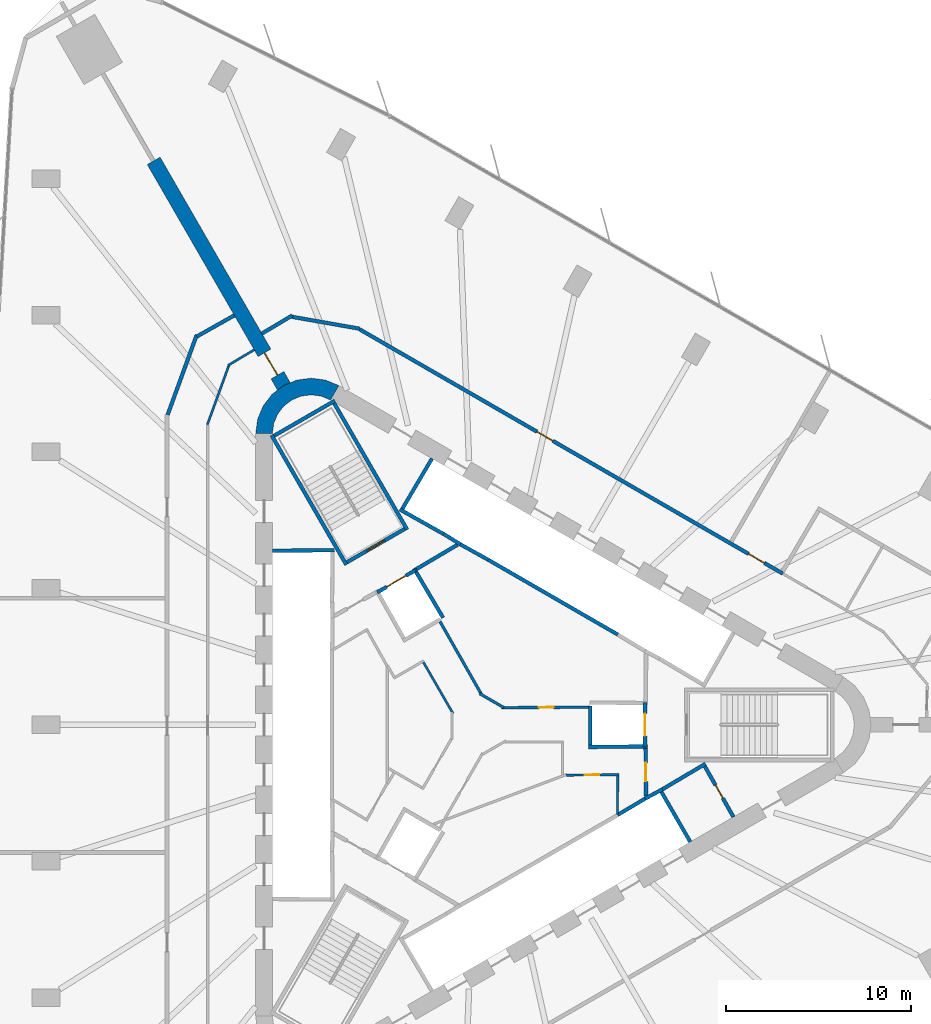
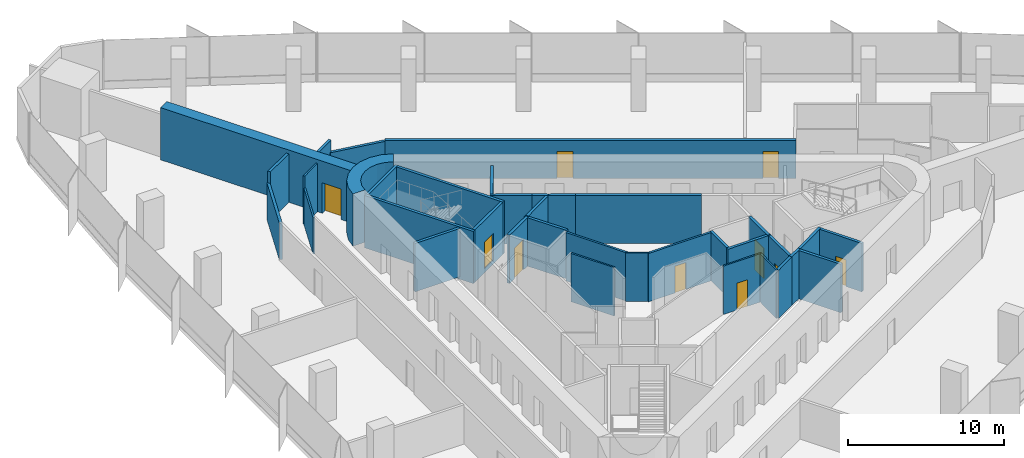
# One storey, part 11 of 14: 37 walls, 10 doors, 10 openings.
"""IFC4 building model written with IfcOpenShell, lengths in metres."""

from ifc_helpers import new_model, si_unit, direction, frame, frame_2d, origin, place, context, subcontext, project, spatial, polyline, rectangle, outline, extrude, material, layer, layer_set, type_object, element, fill, save


model = new_model("IFC4")

# Units and contexts
model_context = context("Model", 3, precision=1e-05, world=origin(), true_north=direction((0.0, 1.0)))
body_context = subcontext(model_context, "Body", "Model", "MODEL_VIEW")
ifc_project = project(units=[si_unit("LENGTHUNIT", "METRE"), si_unit("AREAUNIT", "SQUARE_METRE"), si_unit("VOLUMEUNIT", "CUBIC_METRE"), si_unit("PLANEANGLEUNIT", "RADIAN"), si_unit("MASSUNIT", "GRAM", prefix="KILO")], contexts=[model_context])

# Site, building, storey
site_placement = place(None, origin())
site = spatial("IfcSite", under=ifc_project, at=site_placement, CompositionType="ELEMENT")
building_placement = place(site_placement, origin())
building = spatial("IfcBuilding", under=site, at=building_placement, Name="Tanit Gate Tower", CompositionType="ELEMENT")
storey_placement = place(building_placement, frame((0.0, 0.0, 53.699951171875)))
storey = spatial("IfcBuildingStorey", under=building, at=storey_placement, Name="L09", CompositionType="ELEMENT", Elevation=53.699951171875)

# Wall, opening, door
ifc_material_1 = material(Name="Concrete C60/75", Category="concrete")
ifc_layer_1 = layer(ifc_material_1, 0.800048828125)
ifc_layer_set_1 = layer_set([ifc_layer_1], Name="BUTTRESS FIN 800 C60/75")
wall_type_1 = type_object("IfcWallType", Name="BUTTRESS FIN 800 C60/75", PredefinedType="SHEAR", material=ifc_layer_set_1)
wall_1_placement = place(storey_placement, frame((-10.574951171875, 18.31640625, 0.0), z_axis=(0.0, 0.0, 1.0), x_axis=(-0.499996272984, 0.866027555568, 0.0)))
wall_1 = element("IfcWall", 1, at=wall_1_placement, inside=storey, type_object=wall_type_1, Name="BUTTRESS FIN", PredefinedType="SHEAR", context=body_context, shape_type="SweptSolid", body=[
    extrude(rectangle(XDim=14.09814453125, YDim=0.800048828125, at=frame_2d((7.049072265625, 0.0))), origin(), (0.0, 0.0, 1.0), 4.10009765625),
])
opening_1_placement = place(wall_1_placement, frame((0.699951171875, 0.0, 0.0)))
opening_1 = element("IfcOpeningElement", 2, at=opening_1_placement, cuts=wall_1, Name="Opening P14-S00-F-NW-1", PredefinedType="OPENING", context=body_context, shape_type="SweptSolid", body=[
    extrude(rectangle(XDim=1.39990234375, YDim=2.39990234375, at=frame_2d((0.699951171875, 1.199951171875))), frame((0.0, 0.41015625, 0.0), z_axis=(0.0, -1.0, 0.0), x_axis=(1.0, 0.0, 0.0)), (0.0, 0.0, 1.0), 0.820068359375),
])
ifc_material_2 = material(Name="Timber door leaf", Category="wood")
door_type_1 = type_object("IfcDoorType", Name="INT-DOOR-FIN-PAIR-1400", OperationType="NOTDEFINED", PredefinedType="NOTDEFINED", material=ifc_material_2)
door_1_placement = place(opening_1_placement, origin())
door_1 = element("IfcDoor", 3, at=door_1_placement, inside=storey, type_object=door_type_1, Name="Door P14-S00-F-NW-1", OperationType="DOUBLE_DOOR_SINGLE_SWING", OverallHeight=2.39990234375, OverallWidth=1.39990234375, PredefinedType="NOTDEFINED", context=body_context, shape_type="SweptSolid", body=[
    extrude(rectangle(XDim=1.39990234375, YDim=2.39990234375, at=frame_2d((0.699951171875, 1.199951171875))), frame((0.0, 0.02490234375, 0.0), z_axis=(0.0, -1.0, 0.0), x_axis=(1.0, 0.0, 0.0)), (0.0, 0.0, 1.0), 0.050048828125),
])
fill(opening_1, door_1)

# Walls
ifc_material_3 = material(Name="Concrete C60/75", Category="concrete")
ifc_layer_2 = layer(ifc_material_3, 0.89990234375)
ifc_layer_set_2 = layer_set([ifc_layer_2], Name="CORE WALL 900 C60/75")
wall_type_2 = type_object("IfcWallType", Name="CORE WALL 900 C60/75", PredefinedType="SHEAR", material=ifc_layer_set_2)
wall_2_placement = place(storey_placement, origin())
element("IfcWall", 4, at=wall_2_placement, inside=storey, type_object=wall_type_2, Name="CORE WALL CORNER", PredefinedType="SHEAR", context=body_context, shape_type="SweptSolid", body=[
    extrude(outline(polyline([(-7.60009765625, 18.359619140625), (-8.323486328125, 18.659423828125), (-9.10009765625, 18.76171875), (-9.87646484375, 18.659423828125), (-10.60009765625, 18.359619140625), (-11.22119140625, 17.883056640625), (-11.697998046875, 17.26171875), (-11.997802734375, 16.5380859375), (-12.10009765625, 15.76171875), (-11.199951171875, 15.76171875), (-11.12841796875, 16.30517578125), (-10.918701171875, 16.811767578125), (-10.5849609375, 17.24658203125), (-10.14990234375, 17.580322265625), (-9.6435546875, 17.7900390625), (-9.10009765625, 17.86181640625), (-8.556396484375, 17.7900390625), (-8.050048828125, 17.580322265625), (-7.60009765625, 18.359619140625)])), origin(), (0.0, 0.0, 1.0), 4.10009765625),
])
ifc_material_4 = material(Name="Fire-rated gypsum board partition")
ifc_layer_3 = layer(ifc_material_4, 0.199951171875)
ifc_layer_set_3 = layer_set([ifc_layer_3], Name="INT-WALL-COMPARTMENT")
wall_type_3 = type_object("IfcWallType", Name="INT-WALL-COMPARTMENT", PredefinedType="PARTITIONING", material=ifc_layer_set_3)
wall_3_placement = place(storey_placement, frame((12.244873046875, -2.10888671875, 0.0), z_axis=(0.0, 0.0, 1.0), x_axis=(-0.860414880418, -0.509594185166, 0.0)))
element("IfcWall", 5, at=wall_3_placement, inside=storey, type_object=wall_type_3, Name="Wall Compartment W057", PredefinedType="PARTITIONING", context=body_context, shape_type="SweptSolid", body=[
    extrude(rectangle(XDim=2.7001953125, YDim=0.199951171875, at=frame_2d((1.35009765625, 0.0))), origin(), (0.0, 0.0, 1.0), 3.800048828125),
])

# Wall, opening, door
wall_4_placement = place(storey_placement, frame((13.758056640625, -4.989501953125, 0.0), z_axis=(0.0, 0.0, 1.0), x_axis=(-0.491993409184, 0.87059892334, 0.0)))
wall_4 = element("IfcWall", 6, at=wall_4_placement, inside=storey, type_object=wall_type_3, Name="Wall Compartment W058", PredefinedType="PARTITIONING", context=body_context, shape_type="SweptSolid", body=[
    extrude(rectangle(XDim=3.150146484375, YDim=0.199951171875, at=frame_2d((1.5751953125, 0.0))), origin(), (0.0, 0.0, 1.0), 3.800048828125),
])
opening_2_placement = place(wall_4_placement, frame((1.175048828125, 0.0, 0.0)))
opening_2 = element("IfcOpeningElement", 7, at=opening_2_placement, cuts=wall_4, Name="Opening R08-S00-15", PredefinedType="OPENING", context=body_context, shape_type="SweptSolid", body=[
    extrude(rectangle(XDim=0.800048828125, YDim=2.10009765625, at=frame_2d((0.39990234375, 1.050048828125))), frame((0.0, 0.10986328125, 0.0), z_axis=(0.0, -1.0, 0.0), x_axis=(1.0, 0.0, 0.0)), (0.0, 0.0, 1.0), 0.219970703125),
])
ifc_material_5 = material(Name="Timber door leaf", Category="wood")
door_type_2 = type_object("IfcDoorType", Name="INT-DOOR-RISER-800", OperationType="NOTDEFINED", PredefinedType="USERDEFINED", material=ifc_material_5)
door_2_placement = place(opening_2_placement, origin())
door_2 = element("IfcDoor", 8, at=door_2_placement, inside=storey, type_object=door_type_2, Name="Door R08-S00-15", ObjectType="FIRE DOOR", OperationType="SINGLE_SWING_RIGHT", OverallHeight=2.10009765625, OverallWidth=0.800048828125, PredefinedType="USERDEFINED", context=body_context, shape_type="SweptSolid", body=[
    extrude(rectangle(XDim=0.800048828125, YDim=2.10009765625, at=frame_2d((0.39990234375, 1.050048828125))), frame((0.0, 0.02490234375, 0.0), z_axis=(0.0, -1.0, 0.0), x_axis=(1.0, 0.0, 0.0)), (0.0, 0.0, 1.0), 0.050048828125),
])
fill(opening_2, door_2)

wall_5_placement = place(storey_placement, frame((9.02880859375, -3.850830078125, 0.0), z_axis=(0.0, 0.0, 1.0), x_axis=(-0.010783593937, 0.99994185536, 0.0)))
wall_5 = element("IfcWall", 9, at=wall_5_placement, inside=storey, type_object=wall_type_3, Name="Wall Compartment W060", PredefinedType="PARTITIONING", context=body_context, shape_type="SweptSolid", body=[
    extrude(rectangle(XDim=2.5810546875, YDim=0.199951171875, at=frame_2d((1.29052734375, 0.0))), origin(), (0.0, 0.0, 1.0), 3.800048828125),
])
opening_3_placement = place(wall_5_placement, frame((0.79052734375, 0.0, 0.0)))
opening_3 = element("IfcOpeningElement", 10, at=opening_3_placement, cuts=wall_5, Name="Opening F10-S00-02", PredefinedType="OPENING", context=body_context, shape_type="SweptSolid", body=[
    extrude(rectangle(XDim=1.0, YDim=2.10009765625, at=frame_2d((0.5, 1.050048828125))), frame((0.0, 0.10986328125, 0.0), z_axis=(0.0, -1.0, 0.0), x_axis=(1.0, 0.0, 0.0)), (0.0, 0.0, 1.0), 0.219970703125),
])
ifc_material_6 = material(Name="Fire-rated steel door leaf", Category="steel")
door_type_3 = type_object("IfcDoorType", Name="INT-DOOR-FIRE-1000", OperationType="NOTDEFINED", PredefinedType="USERDEFINED", material=ifc_material_6)
door_3_placement = place(opening_3_placement, origin())
door_3 = element("IfcDoor", 11, at=door_3_placement, inside=storey, type_object=door_type_3, Name="Door F10-S00-02", ObjectType="FIRE DOOR", OperationType="SINGLE_SWING_RIGHT", OverallHeight=2.10009765625, OverallWidth=1.0, PredefinedType="USERDEFINED", context=body_context, shape_type="SweptSolid", body=[
    extrude(rectangle(XDim=1.0, YDim=2.10009765625, at=frame_2d((0.5, 1.050048828125))), frame((0.0, 0.02490234375, 0.0), z_axis=(0.0, -1.0, 0.0), x_axis=(1.0, 0.0, 0.0)), (0.0, 0.0, 1.0), 0.050048828125),
])
fill(opening_3, door_3)

# Walls
wall_6_placement = place(storey_placement, frame((-1.1796875, 9.744384765625, 0.0), z_axis=(0.0, 0.0, 1.0), x_axis=(-0.860615607571, -0.509255118781, 0.0)))
element("IfcWall", 12, at=wall_6_placement, inside=storey, type_object=wall_type_3, Name="Wall Compartment W061", PredefinedType="PARTITIONING", context=body_context, shape_type="SweptSolid", body=[
    extrude(rectangle(XDim=2.58056640625, YDim=0.199951171875, at=frame_2d((1.290283203125, 0.0))), origin(), (0.0, 0.0, 1.0), 3.800048828125),
])
wall_7_placement = place(storey_placement, frame((-15.29345703125, 21.1015625, 0.0), z_axis=(0.0, 0.0, 1.0), x_axis=(-0.341981820704, -0.939706568195, 0.0)))
element("IfcWall", 13, at=wall_7_placement, inside=storey, type_object=wall_type_3, Name="Wall Compartment W098", PredefinedType="PARTITIONING", context=body_context, shape_type="SweptSolid", body=[
    extrude(rectangle(XDim=4.597412109375, YDim=0.199951171875, at=frame_2d((2.298828125, 0.0))), origin(), (0.0, 0.0, 1.0), 2.880126953125),
])
wall_8_placement = place(storey_placement, frame((-13.256591796875, 22.1611328125, 0.0), z_axis=(0.0, 0.0, 1.0), x_axis=(-0.871385546515, -0.49059884766, 0.0)))
element("IfcWall", 14, at=wall_8_placement, inside=storey, type_object=wall_type_3, Name="Wall Compartment W099", PredefinedType="PARTITIONING", context=body_context, shape_type="SweptSolid", body=[
    extrude(rectangle(XDim=2.33447265625, YDim=0.199951171875, at=frame_2d((1.167236328125, 0.0))), origin(), (0.0, 0.0, 1.0), 3.800048828125),
])
wall_9_placement = place(storey_placement, frame((-10.11767578125, 22.157470703125, 0.0), z_axis=(0.0, 0.0, 1.0), x_axis=(-0.859118225537, -0.511777172752, 0.0)))
element("IfcWall", 15, at=wall_9_placement, inside=storey, type_object=wall_type_3, Name="Wall Compartment W100", PredefinedType="PARTITIONING", context=body_context, shape_type="SweptSolid", body=[
    extrude(rectangle(XDim=1.916748046875, YDim=0.199951171875, at=frame_2d((0.95849609375, 0.0))), origin(), (0.0, 0.0, 1.0), 3.800048828125),
])
wall_10_placement = place(storey_placement, frame((-6.458984375, 21.435546875, 0.0), z_axis=(0.0, 0.0, 1.0), x_axis=(-0.984812903812, 0.173618963498, 0.0)))
element("IfcWall", 16, at=wall_10_placement, inside=storey, type_object=wall_type_3, Name="Wall Compartment W101", PredefinedType="PARTITIONING", context=body_context, shape_type="SweptSolid", body=[
    extrude(rectangle(XDim=3.76708984375, YDim=0.199951171875, at=frame_2d((1.883544921875, 0.0))), origin(), (0.0, 0.0, 1.0), 2.880126953125),
])

# Wall, openings, doors
wall_11_placement = place(storey_placement, frame((16.4228515625, 8.185302734375, 0.0), z_axis=(0.0, 0.0, 1.0), x_axis=(-0.866026561282, 0.49999799515, 0.0)))
wall_11 = element("IfcWall", 17, at=wall_11_placement, inside=storey, type_object=wall_type_3, Name="Wall Compartment W103", PredefinedType="PARTITIONING", context=body_context, shape_type="SweptSolid", body=[
    extrude(rectangle(XDim=26.43505859375, YDim=0.199951171875, at=frame_2d((13.217529296875, 0.0))), origin(), (0.0, 0.0, 1.0), 2.97998046875),
])
opening_4_placement = place(wall_11_placement, frame((14.3564453125, 0.0, 0.0)))
opening_4 = element("IfcOpeningElement", 18, at=opening_4_placement, cuts=wall_11, Name="Opening F10-S00-24", PredefinedType="OPENING", context=body_context, shape_type="SweptSolid", body=[
    extrude(rectangle(XDim=1.0, YDim=2.10009765625, at=frame_2d((0.5, 1.050048828125))), frame((0.0, 0.10986328125, 0.0), z_axis=(0.0, -1.0, 0.0), x_axis=(1.0, 0.0, 0.0)), (0.0, 0.0, 1.0), 0.219970703125),
])
opening_5_placement = place(wall_11_placement, frame((1.138671875, 0.0, 0.0)))
opening_5 = element("IfcOpeningElement", 19, at=opening_5_placement, cuts=wall_11, Name="Opening F10-S00-25", PredefinedType="OPENING", context=body_context, shape_type="SweptSolid", body=[
    extrude(rectangle(XDim=1.0, YDim=2.10009765625, at=frame_2d((0.5, 1.050048828125))), frame((0.0, 0.10986328125, 0.0), z_axis=(0.0, -1.0, 0.0), x_axis=(1.0, 0.0, 0.0)), (0.0, 0.0, 1.0), 0.219970703125),
])
door_4_placement = place(opening_4_placement, origin())
door_4 = element("IfcDoor", 20, at=door_4_placement, inside=storey, type_object=door_type_3, Name="Door F10-S00-24", ObjectType="FIRE DOOR", OperationType="SINGLE_SWING_RIGHT", OverallHeight=2.10009765625, OverallWidth=1.0, PredefinedType="USERDEFINED", context=body_context, shape_type="SweptSolid", body=[
    extrude(rectangle(XDim=1.0, YDim=2.10009765625, at=frame_2d((0.5, 1.050048828125))), frame((0.0, 0.02490234375, 0.0), z_axis=(0.0, -1.0, 0.0), x_axis=(1.0, 0.0, 0.0)), (0.0, 0.0, 1.0), 0.050048828125),
])
fill(opening_4, door_4)
door_5_placement = place(opening_5_placement, origin())
door_5 = element("IfcDoor", 21, at=door_5_placement, inside=storey, type_object=door_type_3, Name="Door F10-S00-25", ObjectType="FIRE DOOR", OperationType="SINGLE_SWING_RIGHT", OverallHeight=2.10009765625, OverallWidth=1.0, PredefinedType="USERDEFINED", context=body_context, shape_type="SweptSolid", body=[
    extrude(rectangle(XDim=1.0, YDim=2.10009765625, at=frame_2d((0.5, 1.050048828125))), frame((0.0, 0.02490234375, 0.0), z_axis=(0.0, -1.0, 0.0), x_axis=(1.0, 0.0, 0.0)), (0.0, 0.0, 1.0), 0.050048828125),
])
fill(opening_5, door_5)

# Wall, opening, door
ifc_material_7 = material(Name="Gypsum board partition")
ifc_layer_4 = layer(ifc_material_7, 0.1201171875)
ifc_layer_set_4 = layer_set([ifc_layer_4], Name="INT-WALL-PARTITION")
wall_type_4 = type_object("IfcWallType", Name="INT-WALL-PARTITION", PredefinedType="PARTITIONING", material=ifc_layer_set_4)
wall_12_placement = place(storey_placement, frame((7.56005859375, -2.699462890625, 0.0), z_axis=(0.0, 0.0, 1.0), x_axis=(-0.999948120507, -0.010186083405, 0.0)))
wall_12 = element("IfcWall", 22, at=wall_12_placement, inside=storey, type_object=wall_type_4, Name="Wall Partition W074", PredefinedType="PARTITIONING", context=body_context, shape_type="SweptSolid", body=[
    extrude(rectangle(XDim=2.852294921875, YDim=0.1201171875, at=frame_2d((1.42626953125, 0.0))), origin(), (0.0, 0.0, 1.0), 3.800048828125),
])
opening_6_placement = place(wall_12_placement, frame((1.05615234375, 0.0, 0.0)))
opening_6 = element("IfcOpeningElement", 23, at=opening_6_placement, cuts=wall_12, Name="Opening R08-S00-12", PredefinedType="OPENING", context=body_context, shape_type="SweptSolid", body=[
    extrude(rectangle(XDim=0.800048828125, YDim=2.10009765625, at=frame_2d((0.39990234375, 1.050048828125))), frame((0.0, 0.070068359375, 0.0), z_axis=(0.0, -1.0, 0.0), x_axis=(1.0, 0.0, 0.0)), (0.0, 0.0, 1.0), 0.14013671875),
])
door_6_placement = place(opening_6_placement, origin())
door_6 = element("IfcDoor", 24, at=door_6_placement, inside=storey, type_object=door_type_2, Name="Door R08-S00-12", ObjectType="FIRE DOOR", OperationType="SINGLE_SWING_LEFT", OverallHeight=2.10009765625, OverallWidth=0.800048828125, PredefinedType="USERDEFINED", context=body_context, shape_type="SweptSolid", body=[
    extrude(rectangle(XDim=0.800048828125, YDim=2.10009765625, at=frame_2d((0.39990234375, 1.050048828125))), frame((0.0, 0.02490234375, 0.0), z_axis=(0.0, -1.0, 0.0), x_axis=(1.0, 0.0, 0.0)), (0.0, 0.0, 1.0), 0.050048828125),
])
fill(opening_6, door_6)

# Walls
wall_13_placement = place(storey_placement, frame((7.474609375, -4.864501953125, 0.0), z_axis=(0.0, 0.0, 1.0), x_axis=(0.011716133148, 0.999931363757, 0.0)))
element("IfcWall", 25, at=wall_13_placement, inside=storey, type_object=wall_type_4, Name="Wall Partition W075", PredefinedType="PARTITIONING", context=body_context, shape_type="SweptSolid", body=[
    extrude(rectangle(XDim=2.104736328125, YDim=0.1201171875, at=frame_2d((1.05224609375, 0.0))), origin(), (0.0, 0.0, 1.0), 3.800048828125),
])
wall_14_placement = place(storey_placement, frame((-1.420166015625, 0.610107421875, 0.0), z_axis=(0.0, 0.0, 1.0), x_axis=(-0.500034908033, 0.866005248684, 0.0)))
element("IfcWall", 26, at=wall_14_placement, inside=storey, type_object=wall_type_4, Name="Wall Partition W083", PredefinedType="PARTITIONING", context=body_context, shape_type="SweptSolid", body=[
    extrude(rectangle(XDim=3.201416015625, YDim=0.1201171875, at=frame_2d((1.6005859375, 0.0))), origin(), (0.0, 0.0, 1.0), 3.800048828125),
])
wall_15_placement = place(storey_placement, frame((-12.181396484375, 20.299072265625, 0.0), z_axis=(0.0, 0.0, 1.0), x_axis=(-0.8583241935, -0.51310776534, 0.0)))
element("IfcWall", 27, at=wall_15_placement, inside=storey, type_object=wall_type_4, Name="Wall Partition W088", PredefinedType="PARTITIONING", context=body_context, shape_type="SweptSolid", body=[
    extrude(rectangle(XDim=1.65625, YDim=0.1201171875, at=frame_2d((0.828125, 0.0))), origin(), (0.0, 0.0, 1.0), 3.800048828125),
])
wall_16_placement = place(storey_placement, frame((-13.54931640625, 19.461181640625, 0.0), z_axis=(0.0, 0.0, 1.0), x_axis=(-0.341989191955, -0.939703885586, 0.0)))
element("IfcWall", 28, at=wall_16_placement, inside=storey, type_object=wall_type_4, Name="Wall Partition W089", PredefinedType="PARTITIONING", context=body_context, shape_type="SweptSolid", body=[
    extrude(rectangle(XDim=3.424560546875, YDim=0.1201171875, at=frame_2d((1.71240234375, 0.0))), origin(), (0.0, 0.0, 1.0), 2.880126953125),
])

# Wall, opening, door
ifc_material_8 = material(Name="Fire-rated gypsum board partition")
ifc_layer_5 = layer(ifc_material_8, 0.14990234375)
ifc_layer_set_5 = layer_set([ifc_layer_5], Name="INT-WALL-RISER")
wall_type_5 = type_object("IfcWallType", Name="INT-WALL-RISER", PredefinedType="PLUMBINGWALL", material=ifc_layer_set_5)
wall_17_placement = place(storey_placement, frame((1.21435546875, 0.924072265625, 0.0), z_axis=(0.0, 0.0, 1.0), x_axis=(0.999979796062, 0.006356686907, 0.0)))
wall_17 = element("IfcWall", 29, at=wall_17_placement, inside=storey, type_object=wall_type_5, Name="Wall Riser W065", PredefinedType="PLUMBINGWALL", context=body_context, shape_type="SweptSolid", body=[
    extrude(rectangle(XDim=4.685546875, YDim=0.14990234375, at=frame_2d((2.3427734375, 0.0))), origin(), (0.0, 0.0, 1.0), 3.800048828125),
])
opening_7_placement = place(wall_17_placement, frame((2.0068359375, 0.0, 0.0)))
opening_7 = element("IfcOpeningElement", 30, at=opening_7_placement, cuts=wall_17, Name="Opening R08-S00-10", PredefinedType="OPENING", context=body_context, shape_type="SweptSolid", body=[
    extrude(rectangle(XDim=0.800048828125, YDim=2.10009765625, at=frame_2d((0.39990234375, 1.050048828125))), frame((0.0, 0.0849609375, 0.0), z_axis=(0.0, -1.0, 0.0), x_axis=(1.0, 0.0, 0.0)), (0.0, 0.0, 1.0), 0.169921875),
])
door_7_placement = place(opening_7_placement, origin())
door_7 = element("IfcDoor", 31, at=door_7_placement, inside=storey, type_object=door_type_2, Name="Door R08-S00-10", ObjectType="FIRE DOOR", OperationType="SINGLE_SWING_LEFT", OverallHeight=2.10009765625, OverallWidth=0.800048828125, PredefinedType="USERDEFINED", context=body_context, shape_type="SweptSolid", body=[
    extrude(rectangle(XDim=0.800048828125, YDim=2.10009765625, at=frame_2d((0.39990234375, 1.050048828125))), frame((0.0, 0.02490234375, 0.0), z_axis=(0.0, -1.0, 0.0), x_axis=(1.0, 0.0, 0.0)), (0.0, 0.0, 1.0), 0.050048828125),
])
fill(opening_7, door_7)

# Walls
wall_18_placement = place(storey_placement, frame((0.01904296875, 1.68896484375, 0.0), z_axis=(0.0, 0.0, 1.0), x_axis=(0.866047774678, -0.499961250474, 0.0)))
element("IfcWall", 32, at=wall_18_placement, inside=storey, type_object=wall_type_5, Name="Wall Riser W066", PredefinedType="PLUMBINGWALL", context=body_context, shape_type="SweptSolid", body=[
    extrude(rectangle(XDim=1.50439453125, YDim=0.14990234375, at=frame_2d((0.752197265625, 0.0))), origin(), (0.0, 0.0, 1.0), 3.800048828125),
])
wall_19_placement = place(storey_placement, frame((-2.1240234375, 5.58642578125, 0.0), z_axis=(0.0, 0.0, 1.0), x_axis=(0.494514430604, -0.869169418424, 0.0)))
element("IfcWall", 33, at=wall_19_placement, inside=storey, type_object=wall_type_5, Name="Wall Riser W067", PredefinedType="PLUMBINGWALL", context=body_context, shape_type="SweptSolid", body=[
    extrude(rectangle(XDim=4.5341796875, YDim=0.14990234375, at=frame_2d((2.26708984375, 0.0))), origin(), (0.0, 0.0, 1.0), 3.800048828125),
])
ifc_material_9 = material(Name="Gypsum shaft wall system")
ifc_layer_6 = layer(ifc_material_9, 0.199951171875)
ifc_layer_set_6 = layer_set([ifc_layer_6], Name="INT-WALL-SHAFT")
wall_type_6 = type_object("IfcWallType", Name="INT-WALL-SHAFT", PredefinedType="PLUMBINGWALL", material=ifc_layer_set_6)
wall_20_placement = place(storey_placement, frame((-11.199951171875, 9.419921875, 0.0), z_axis=(0.0, 0.0, 1.0), x_axis=(0.999957167047, 0.009255488683, 0.0)))
element("IfcWall", 34, at=wall_20_placement, inside=storey, type_object=wall_type_6, Name="Wall Shaft W001", PredefinedType="PLUMBINGWALL", context=body_context, shape_type="SweptSolid", body=[
    extrude(rectangle(XDim=3.35009765625, YDim=0.199951171875, at=frame_2d((1.675048828125, 0.0))), origin(), (0.0, 0.0, 1.0), 3.800048828125),
])
wall_21_placement = place(storey_placement, frame((7.497314453125, 4.885986328125, 0.0), z_axis=(0.0, 0.0, 1.0), x_axis=(-0.866030989016, 0.499990325971, 0.0)))
element("IfcWall", 35, at=wall_21_placement, inside=storey, type_object=wall_type_6, Name="Wall Shaft W003", PredefinedType="PLUMBINGWALL", context=body_context, shape_type="SweptSolid", body=[
    extrude(rectangle(XDim=8.099853515625, YDim=0.199951171875, at=frame_2d((4.0498046875, 0.0))), origin(), (0.0, 0.0, 1.0), 3.800048828125),
])
wall_22_placement = place(storey_placement, frame((-1.940673828125, 10.338623046875, 0.0), z_axis=(0.0, 0.0, 1.0), x_axis=(0.850216889117, -0.526432561171, 0.0)))
element("IfcWall", 36, at=wall_22_placement, inside=storey, type_object=wall_type_6, Name="Wall Shaft W019", PredefinedType="PLUMBINGWALL", context=body_context, shape_type="SweptSolid", body=[
    extrude(rectangle(XDim=1.078369140625, YDim=0.199951171875, at=frame_2d((0.5390625, 0.0))), origin(), (0.0, 0.0, 1.0), 3.800048828125),
])
wall_23_placement = place(storey_placement, frame((0.482666015625, 8.935791015625, 0.0), z_axis=(0.0, 0.0, 1.0), x_axis=(-0.874269620932, 0.485440655401, 0.0)))
element("IfcWall", 37, at=wall_23_placement, inside=storey, type_object=wall_type_6, Name="Wall Shaft W020", PredefinedType="PLUMBINGWALL", context=body_context, shape_type="SweptSolid", body=[
    extrude(rectangle(XDim=1.8447265625, YDim=0.199951171875, at=frame_2d((0.92236328125, 0.0))), origin(), (0.0, 0.0, 1.0), 3.800048828125),
])
wall_24_placement = place(storey_placement, frame((-4.296142578125, 11.658935546875, 0.0), z_axis=(0.0, 0.0, 1.0), x_axis=(0.871534483978, -0.490334215854, 0.0)))
element("IfcWall", 38, at=wall_24_placement, inside=storey, type_object=wall_type_6, Name="Wall Shaft W021", PredefinedType="PLUMBINGWALL", context=body_context, shape_type="SweptSolid", body=[
    extrude(rectangle(XDim=2.7001953125, YDim=0.199951171875, at=frame_2d((1.35009765625, 0.0))), origin(), (0.0, 0.0, 1.0), 3.800048828125),
])
wall_25_placement = place(storey_placement, frame((-4.158203125, 11.696044921875, 0.0), z_axis=(0.0, 0.0, 1.0), x_axis=(0.508018930956, 0.861345903683, 0.0)))
element("IfcWall", 39, at=wall_25_placement, inside=storey, type_object=wall_type_6, Name="Wall Shaft W022", PredefinedType="PLUMBINGWALL", context=body_context, shape_type="SweptSolid", body=[
    extrude(rectangle(XDim=3.150146484375, YDim=0.199951171875, at=frame_2d((1.5751953125, 0.0))), origin(), (0.0, 0.0, 1.0), 3.800048828125),
])
wall_26_placement = place(storey_placement, frame((9.794677734375, -3.52490234375, 0.0), z_axis=(0.0, 0.0, 1.0), x_axis=(0.499984717929, -0.866034226713, 0.0)))
element("IfcWall", 40, at=wall_26_placement, inside=storey, type_object=wall_type_6, Name="Wall Shaft W024", PredefinedType="PLUMBINGWALL", context=body_context, shape_type="SweptSolid", body=[
    extrude(rectangle(XDim=3.25, YDim=0.199951171875, at=frame_2d((1.625, 0.0))), origin(), (0.0, 0.0, 1.0), 3.800048828125),
])
wall_27_placement = place(storey_placement, frame((8.97412109375, -3.998779296875, 0.0), z_axis=(0.0, 0.0, 1.0), x_axis=(0.880907015104, 0.473289373154, 0.0)))
element("IfcWall", 41, at=wall_27_placement, inside=storey, type_object=wall_type_6, Name="Wall Shaft W025", PredefinedType="PLUMBINGWALL", context=body_context, shape_type="SweptSolid", body=[
    extrude(rectangle(XDim=1.078125, YDim=0.199951171875, at=frame_2d((0.5390625, 0.0))), origin(), (0.0, 0.0, 1.0), 3.800048828125),
])
wall_28_placement = place(storey_placement, frame((7.4931640625, -4.87841796875, 0.0), z_axis=(0.0, 0.0, 1.0), x_axis=(0.859981807212, 0.510324691999, 0.0)))
element("IfcWall", 42, at=wall_28_placement, inside=storey, type_object=wall_type_6, Name="Wall Shaft W026", PredefinedType="PLUMBINGWALL", context=body_context, shape_type="SweptSolid", body=[
    extrude(rectangle(XDim=1.8447265625, YDim=0.199951171875, at=frame_2d((0.92236328125, 0.0))), origin(), (0.0, 0.0, 1.0), 3.800048828125),
])

# Wall, opening, door
wall_29_placement = place(storey_placement, frame((8.969970703125, 1.199951171875, 0.0), z_axis=(0.0, 0.0, 1.0), x_axis=(0.0, -1.0, 0.0)))
wall_29 = element("IfcWall", 43, at=wall_29_placement, inside=storey, type_object=wall_type_6, Name="Wall Shaft W037", PredefinedType="PLUMBINGWALL", context=body_context, shape_type="SweptSolid", body=[
    extrude(rectangle(XDim=2.39990234375, YDim=0.199951171875, at=frame_2d((1.199951171875, 0.0))), origin(), (0.0, 0.0, 1.0), 3.800048828125),
])
opening_8_placement = place(wall_29_placement, frame((0.60009765625, 0.0, 0.0)))
opening_8 = element("IfcOpeningElement", 44, at=opening_8_placement, cuts=wall_29, Name="Opening LDFL1-L09", PredefinedType="OPENING", context=body_context, shape_type="SweptSolid", body=[
    extrude(rectangle(XDim=1.199951171875, YDim=2.39990234375, at=frame_2d((0.60009765625, 1.199951171875))), frame((0.0, 0.10986328125, 0.0), z_axis=(0.0, -1.0, 0.0), x_axis=(1.0, 0.0, 0.0)), (0.0, 0.0, 1.0), 0.219970703125),
])
ifc_material_10 = material(Name="Stainless steel sliding door leaf", Category="steel")
door_type_4 = type_object("IfcDoorType", Name="INT-DOOR-LANDING-1200", OperationType="NOTDEFINED", PredefinedType="USERDEFINED", material=ifc_material_10)
door_8_placement = place(opening_8_placement, origin())
door_8 = element("IfcDoor", 45, at=door_8_placement, inside=storey, type_object=door_type_4, Name="Door LDFL1-L09", ObjectType="LANDING DOOR", OperationType="SLIDING_TO_LEFT", OverallHeight=2.39990234375, OverallWidth=1.199951171875, PredefinedType="USERDEFINED", context=body_context, shape_type="SweptSolid", body=[
    extrude(rectangle(XDim=1.199951171875, YDim=2.39990234375, at=frame_2d((0.60009765625, 1.199951171875))), frame((0.0, 0.02490234375, 0.0), z_axis=(0.0, -1.0, 0.0), x_axis=(1.0, 0.0, 0.0)), (0.0, 0.0, 1.0), 0.050048828125),
])
fill(opening_8, door_8)

# Walls
wall_30_placement = place(storey_placement, frame((5.89990234375, -1.200927734375, 0.0), z_axis=(0.0, 0.0, 1.0), x_axis=(0.999950064753, 0.009993397809, 0.0)))
element("IfcWall", 46, at=wall_30_placement, inside=storey, type_object=wall_type_6, Name="Wall Shaft W039", PredefinedType="PLUMBINGWALL", context=body_context, shape_type="SweptSolid", body=[
    extrude(rectangle(XDim=3.200439453125, YDim=0.199951171875, at=frame_2d((1.60009765625, 0.0))), origin(), (0.0, 0.0, 1.0), 3.800048828125),
])
wall_31_placement = place(storey_placement, frame((6.0, -1.10009765625, 0.0), z_axis=(0.0, 0.0, 1.0), x_axis=(0.0, 1.0, 0.0)))
element("IfcWall", 47, at=wall_31_placement, inside=storey, type_object=wall_type_6, Name="Wall Shaft W040", PredefinedType="PLUMBINGWALL", context=body_context, shape_type="SweptSolid", body=[
    extrude(rectangle(XDim=2.129638671875, YDim=0.199951171875, at=frame_2d((1.06494140625, 0.0))), origin(), (0.0, 0.0, 1.0), 3.800048828125),
])

# Wall, opening, door
wall_32_placement = place(storey_placement, frame((-5.524169921875, 7.168212890625, 0.0), z_axis=(0.0, 0.0, 1.0), x_axis=(0.866024647952, 0.500001309137, 0.0)))
wall_32 = element("IfcWall", 48, at=wall_32_placement, inside=storey, type_object=wall_type_6, Name="Wall Shaft W045", PredefinedType="PLUMBINGWALL", context=body_context, shape_type="SweptSolid", body=[
    extrude(rectangle(XDim=2.39990234375, YDim=0.199951171875, at=frame_2d((1.199951171875, 0.0))), origin(), (0.0, 0.0, 1.0), 3.800048828125),
])
opening_9_placement = place(wall_32_placement, frame((0.60009765625, 0.0, 0.0)))
opening_9 = element("IfcOpeningElement", 49, at=opening_9_placement, cuts=wall_32, Name="Opening LDFL2-L09", PredefinedType="OPENING", context=body_context, shape_type="SweptSolid", body=[
    extrude(rectangle(XDim=1.199951171875, YDim=2.39990234375, at=frame_2d((0.60009765625, 1.199951171875))), frame((0.0, 0.10986328125, 0.0), z_axis=(0.0, -1.0, 0.0), x_axis=(1.0, 0.0, 0.0)), (0.0, 0.0, 1.0), 0.219970703125),
])
door_9_placement = place(opening_9_placement, origin())
door_9 = element("IfcDoor", 50, at=door_9_placement, inside=storey, type_object=door_type_4, Name="Door LDFL2-L09", ObjectType="LANDING DOOR", OperationType="SLIDING_TO_LEFT", OverallHeight=2.39990234375, OverallWidth=1.199951171875, PredefinedType="USERDEFINED", context=body_context, shape_type="SweptSolid", body=[
    extrude(rectangle(XDim=1.199951171875, YDim=2.39990234375, at=frame_2d((0.60009765625, 1.199951171875))), frame((0.0, 0.02490234375, 0.0), z_axis=(0.0, -1.0, 0.0), x_axis=(1.0, 0.0, 0.0)), (0.0, 0.0, 1.0), 0.050048828125),
])
fill(opening_9, door_9)

# Walls
wall_33_placement = place(storey_placement, frame((-3.53759765625, 8.46533203125, 0.0), z_axis=(0.0, 0.0, 1.0), x_axis=(0.508647062354, -0.860975125052, 0.0)))
element("IfcWall", 51, at=wall_33_placement, inside=storey, type_object=wall_type_6, Name="Wall Shaft W046", PredefinedType="PLUMBINGWALL", context=body_context, shape_type="SweptSolid", body=[
    extrude(rectangle(XDim=3.10009765625, YDim=0.199951171875, at=frame_2d((1.550048828125, 0.0))), origin(), (0.0, 0.0, 1.0), 3.800048828125),
])
ifc_material_11 = material(Name="Concrete C40/50", Category="concrete")
ifc_layer_7 = layer(ifc_material_11, 0.199951171875)
ifc_layer_set_7 = layer_set([ifc_layer_7], Name="INT-WALL-STAIR")
wall_type_7 = type_object("IfcWallType", Name="INT-WALL-STAIR", PredefinedType="SHEAR", material=ifc_layer_set_7)
wall_34_placement = place(storey_placement, frame((-11.245361328125, 15.677734375, -0.300048828125), z_axis=(0.0, 0.0, 1.0), x_axis=(0.499977274689, -0.866038523851, 0.0)))
element("IfcWall", 52, at=wall_34_placement, inside=storey, type_object=wall_type_7, Name="Wall Stair W041", PredefinedType="SHEAR", context=body_context, shape_type="SweptSolid", body=[
    extrude(rectangle(XDim=8.10009765625, YDim=0.199951171875, at=frame_2d((4.050048828125, 0.0))), origin(), (0.0, 0.0, 1.0), 4.10009765625),
])
wall_35_placement = place(storey_placement, frame((-7.81787109375, 17.541015625, -0.300048828125), z_axis=(0.0, 0.0, 1.0), x_axis=(-0.866044365799, -0.499967155389, 0.0)))
element("IfcWall", 53, at=wall_35_placement, inside=storey, type_object=wall_type_7, Name="Wall Stair W042", PredefinedType="SHEAR", context=body_context, shape_type="SweptSolid", body=[
    extrude(rectangle(XDim=3.800048828125, YDim=0.199951171875, at=frame_2d((1.89990234375, 0.0))), origin(), (0.0, 0.0, 1.0), 4.10009765625),
])
wall_36_placement = place(storey_placement, frame((-7.8544921875, 17.404541015625, -0.300048828125), z_axis=(0.0, 0.0, 1.0), x_axis=(0.499997992926, -0.866026562566, 0.0)))
element("IfcWall", 54, at=wall_36_placement, inside=storey, type_object=wall_type_7, Name="Wall Stair W043", PredefinedType="SHEAR", context=body_context, shape_type="SweptSolid", body=[
    extrude(rectangle(XDim=7.89990234375, YDim=0.199951171875, at=frame_2d((3.949951171875, 0.0))), origin(), (0.0, 0.0, 1.0), 4.10009765625),
])

# Wall, opening, door
wall_37_placement = place(storey_placement, frame((-7.158935546875, 8.799560546875, -0.300048828125), z_axis=(0.0, 0.0, 1.0), x_axis=(0.866047807691, 0.499961193289, 0.0)))
wall_37 = element("IfcWall", 55, at=wall_37_placement, inside=storey, type_object=wall_type_7, Name="Wall Stair W044", PredefinedType="SHEAR", context=body_context, shape_type="SweptSolid", body=[
    extrude(rectangle(XDim=3.599853515625, YDim=0.199951171875, at=frame_2d((1.7998046875, 0.0))), origin(), (0.0, 0.0, 1.0), 4.10009765625),
])
opening_10_placement = place(wall_37_placement, frame((1.25, 0.0, 0.300048828125)))
opening_10 = element("IfcOpeningElement", 56, at=opening_10_placement, cuts=wall_37, Name="Opening S11-S00-04", PredefinedType="OPENING", context=body_context, shape_type="SweptSolid", body=[
    extrude(rectangle(XDim=1.10009765625, YDim=2.10009765625, at=frame_2d((0.550048828125, 1.050048828125))), frame((0.0, 0.10986328125, 0.0), z_axis=(0.0, -1.0, 0.0), x_axis=(1.0, 0.0, 0.0)), (0.0, 0.0, 1.0), 0.219970703125),
])
ifc_material_12 = material(Name="Timber door leaf", Category="wood")
door_type_5 = type_object("IfcDoorType", Name="INT-DOOR-STAIR-1100", OperationType="NOTDEFINED", PredefinedType="USERDEFINED", material=ifc_material_12)
door_10_placement = place(opening_10_placement, origin())
door_10 = element("IfcDoor", 57, at=door_10_placement, inside=storey, type_object=door_type_5, Name="Door S11-S00-04", ObjectType="FIRE DOOR", OperationType="SINGLE_SWING_LEFT", OverallHeight=2.10009765625, OverallWidth=1.10009765625, PredefinedType="USERDEFINED", context=body_context, shape_type="SweptSolid", body=[
    extrude(rectangle(XDim=1.10009765625, YDim=2.10009765625, at=frame_2d((0.550048828125, 1.050048828125))), frame((0.0, 0.02490234375, 0.0), z_axis=(0.0, -1.0, 0.0), x_axis=(1.0, 0.0, 0.0)), (0.0, 0.0, 1.0), 0.050048828125),
])
fill(opening_10, door_10)

save(model, "model.ifc")
